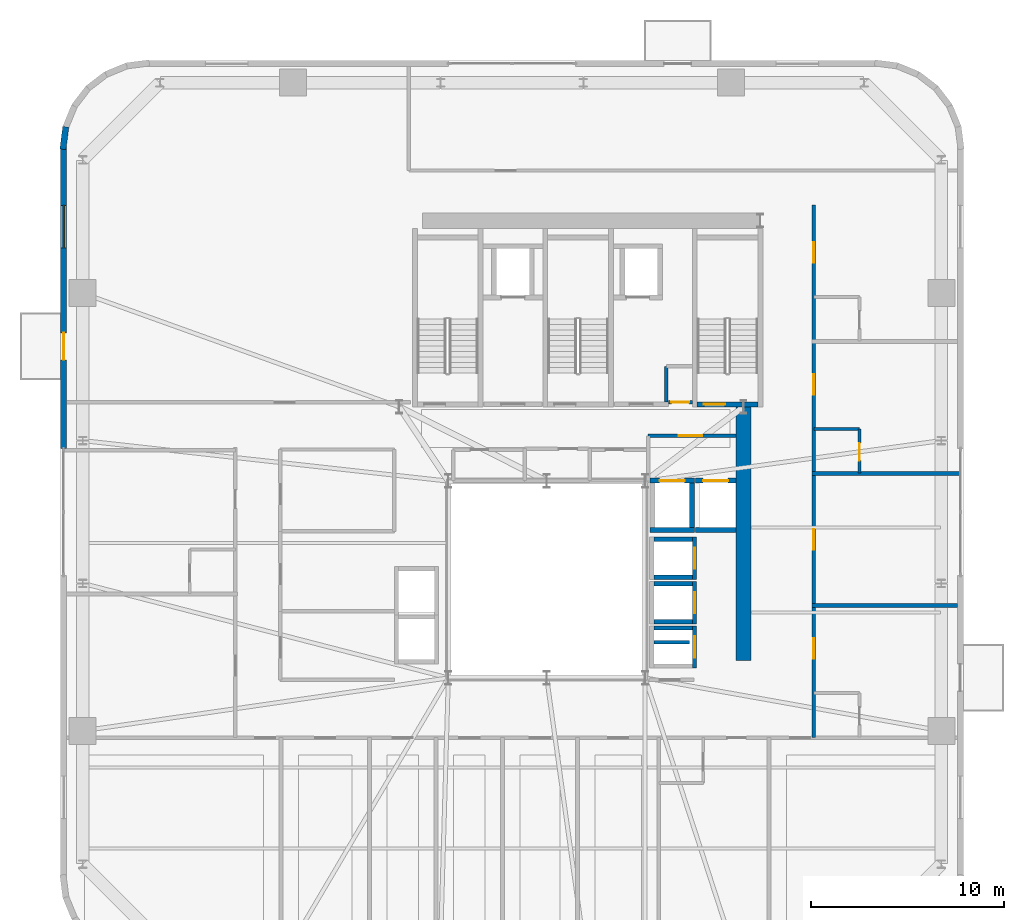
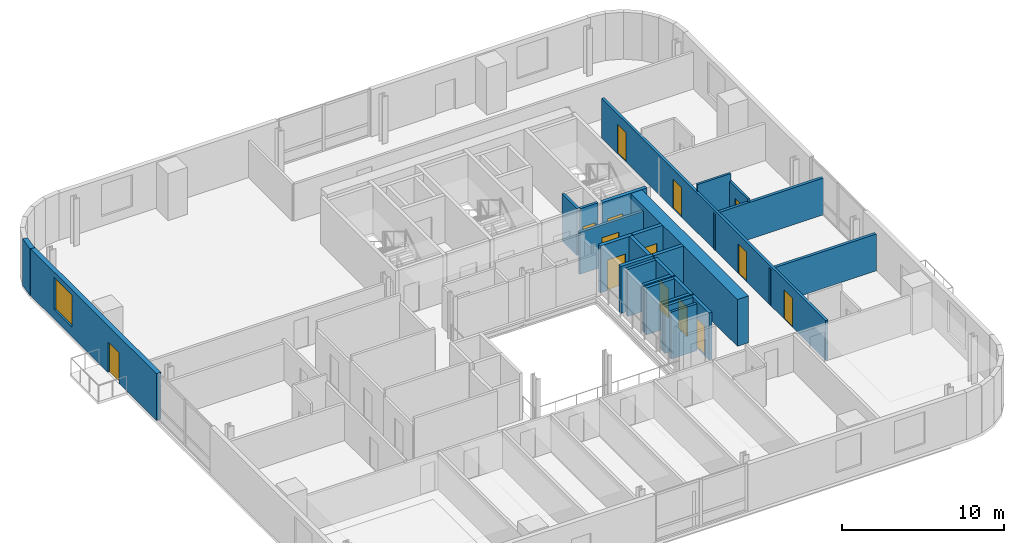
# One storey, part 10 of 16: 26 walls, 14 doors, 1 window, 15 openings.
"""IFC4 building model written with IfcOpenShell, lengths in metres."""

from ifc_helpers import new_model, si_unit, direction, frame, frame_2d, origin, place, context, subcontext, project, spatial, rectangle, extrude, source, transform, mapped, material, layer, layer_set, type_object, element, fill, save


model = new_model("IFC4")

# Units and contexts
model_context = context("Model", 3, precision=1e-05, world=origin(), true_north=direction((0.0, 1.0)))
body_context = subcontext(model_context, "Body", "Model", "MODEL_VIEW")
ifc_project = project(units=[si_unit("LENGTHUNIT", "METRE"), si_unit("AREAUNIT", "SQUARE_METRE"), si_unit("VOLUMEUNIT", "CUBIC_METRE"), si_unit("PLANEANGLEUNIT", "RADIAN"), si_unit("MASSUNIT", "GRAM", prefix="KILO")], contexts=[model_context])

# Site, building, storey
site_placement = place(None, origin())
site = spatial("IfcSite", under=ifc_project, at=site_placement, CompositionType="ELEMENT")
building_placement = place(site_placement, origin())
building = spatial("IfcBuilding", under=site, at=building_placement, Name="Vardaveli Station Tower", CompositionType="ELEMENT")
storey_placement = place(building_placement, frame((0.0, 0.0, 184.800048828125)))
storey = spatial("IfcBuildingStorey", under=building, at=storey_placement, Name="L47", CompositionType="ELEMENT", Elevation=184.800048828125)

# Wall
ifc_material_1 = material(Name="Concrete C50/60", Category="concrete")
ifc_layer_1 = layer(ifc_material_1, 0.800048828125, Name="Concrete C50/60")
ifc_layer_set_1 = layer_set([ifc_layer_1], Name="Concrete C50/60")
wall_type_1 = type_object("IfcWallType", Name="WAL-CORE-800", PredefinedType="SHEAR", material=ifc_layer_set_1)
shared_shape_1 = source(origin(), body_context, "Body", "SweptSolid", [
    extrude(rectangle(XDim=13.14990234375, YDim=0.800048828125, at=frame_2d((6.574951171875, 0.0))), origin(), (0.0, 0.0, 1.0), 3.530029296875),
])
wall_1_placement = place(storey_placement, frame((46.5, 17.5, 0.0), z_axis=(0.0, 0.0, 1.0), x_axis=(0.0, 1.0, 0.0)))
element("IfcWall", 1, at=wall_1_placement, inside=storey, type_object=wall_type_1, Name="SW-L47-EAST2", PredefinedType="SHEAR", context=body_context, shape_type="MappedRepresentation", body=[
    mapped(shared_shape_1, transform((0.0, 0.0, 0.0), scale=1.0)),
])

# Wall, openings, door, window
ifc_material_2 = material(Name="Precast concrete C45/55", Category="concrete")
ifc_layer_2 = layer(ifc_material_2, 0.320068359375, Name="Precast concrete C45/55")
ifc_layer_set_2 = layer_set([ifc_layer_2], Name="Precast concrete C45/55")
wall_type_2 = type_object("IfcWallType", Name="WAL-EXT-STONE-320", PredefinedType="SOLIDWALL", material=ifc_layer_set_2)
shared_shape_2 = source(origin(), body_context, "Body", "SweptSolid", [
    extrude(rectangle(XDim=15.60009765625, YDim=0.320068359375, at=frame_2d((7.800048828125, 0.0))), origin(), (0.0, 0.0, 1.0), 3.530029296875),
])
wall_2_placement = place(storey_placement, frame((11.260009765625, 44.10009765625, 0.0), z_axis=(0.0, 0.0, 1.0), x_axis=(0.0, -1.0, 0.0)))
wall_2 = element("IfcWall", 2, at=wall_2_placement, inside=storey, type_object=wall_type_2, Name="EW-L47-W1", PredefinedType="SOLIDWALL", context=body_context, shape_type="MappedRepresentation", body=[
    mapped(shared_shape_2, transform((0.0, 0.0, 0.0), scale=1.0)),
])
shared_shape_3 = source(origin(), body_context, "Body", "SweptSolid", [
    extrude(rectangle(XDim=1.39990234375, YDim=2.300048828125, at=frame_2d((0.699951171875, 1.14990234375))), frame((0.0, 0.169921875, 0.0), z_axis=(0.0, -1.0, 0.0), x_axis=(1.0, 0.0, 0.0)), (0.0, 0.0, 1.0), 0.340087890625),
])
opening_1_placement = place(wall_2_placement, frame((9.6103515625, 0.0, 0.0)))
opening_1 = element("IfcOpeningElement", 3, at=opening_1_placement, cuts=wall_2, Name="Opening D-09", PredefinedType="OPENING", context=body_context, shape_type="MappedRepresentation", body=[
    mapped(shared_shape_3, transform((0.0, 0.0, 0.0), scale=1.0)),
])
shared_shape_4 = source(origin(), body_context, "Body", "SweptSolid", [
    extrude(rectangle(XDim=2.199951171875, YDim=2.39990234375, at=frame_2d((1.10009765625, 1.199951171875))), frame((0.0, 0.169921875, 0.0), z_axis=(0.0, -1.0, 0.0), x_axis=(1.0, 0.0, 0.0)), (0.0, 0.0, 1.0), 0.340087890625),
])
opening_2_placement = place(wall_2_placement, frame((3.0048828125, 0.0, 0.719970703125)))
opening_2 = element("IfcOpeningElement", 4, at=opening_2_placement, cuts=wall_2, Name="Opening W-03", PredefinedType="OPENING", context=body_context, shape_type="MappedRepresentation", body=[
    mapped(shared_shape_4, transform((0.0, 0.0, 0.0), scale=1.0)),
])
ifc_material_3 = material(Name="Thermally broken aluminium glass", Category="aluminium")
door_type_1 = type_object("IfcDoorType", Name="DR-LOG-1400x2300", OperationType="DOUBLE_DOOR_SLIDING", PredefinedType="DOOR", material=ifc_material_3)
shared_shape_5 = source(origin(), body_context, "Body", "SweptSolid", [
    extrude(rectangle(XDim=1.39990234375, YDim=2.300048828125, at=frame_2d((0.699951171875, 1.14990234375))), frame((0.0, 0.02490234375, 0.0), z_axis=(0.0, -1.0, 0.0), x_axis=(1.0, 0.0, 0.0)), (0.0, 0.0, 1.0), 0.050048828125),
])
door_1_placement = place(opening_1_placement, frame((1.39990234375, 0.0, 0.0), z_axis=(0.0, 0.0, 1.0), x_axis=(-1.0, 0.0, 0.0)))
door_1 = element("IfcDoor", 5, at=door_1_placement, inside=storey, type_object=door_type_1, Name="DLG-L47-W", OperationType="DOUBLE_DOOR_SLIDING", OverallHeight=2.300048828125, OverallWidth=1.39990234375, PredefinedType="DOOR", context=body_context, shape_type="MappedRepresentation", body=[
    mapped(shared_shape_5, transform((0.0, 0.0, 0.0), scale=1.0)),
])
fill(opening_1, door_1)
ifc_material_4 = material(Name="Low-E solar-control glass", Category="glass")
window_type = type_object("IfcWindowType", Name="WIN-LOG-2200x2400", PartitioningType="SINGLE_PANEL", PredefinedType="WINDOW", material=ifc_material_4)
shared_shape_6 = source(origin(), body_context, "Body", "SweptSolid", [
    extrude(rectangle(XDim=2.199951171875, YDim=2.39990234375, at=frame_2d((1.10009765625, 1.199951171875))), frame((0.0, 0.030029296875, 0.0), z_axis=(0.0, -1.0, 0.0), x_axis=(1.0, 0.0, 0.0)), (0.0, 0.0, 1.0), 0.06005859375),
])
window_placement = place(opening_2_placement, origin())
window = element("IfcWindow", 6, at=window_placement, inside=storey, type_object=window_type, Name="WN-L47-W1", OverallHeight=2.39990234375, OverallWidth=2.199951171875, PartitioningType="SINGLE_PANEL", PredefinedType="WINDOW", context=body_context, shape_type="MappedRepresentation", body=[
    mapped(shared_shape_6, transform((0.0, 0.0, 0.0), scale=1.0)),
])
fill(opening_2, window)

# Wall
shared_shape_7 = source(origin(), body_context, "Body", "SweptSolid", [
    extrude(rectangle(XDim=1.17041015625, YDim=0.320068359375, at=frame_2d((0.585205078125, 0.0))), origin(), (0.0, 0.0, 1.0), 3.530029296875),
])
wall_3_placement = place(storey_placement, frame((11.37451171875, 45.16015625, 0.0), z_axis=(0.0, 0.0, 1.0), x_axis=(-0.128295670475, -0.991735963317, 0.0)))
element("IfcWall", 7, at=wall_3_placement, inside=storey, type_object=wall_type_2, Name="EW-L47-CR4-6", PredefinedType="SOLIDWALL", context=body_context, shape_type="MappedRepresentation", body=[
    mapped(shared_shape_7, transform((0.0, 0.0, 0.0), scale=1.0)),
])

# Wall, opening, door
ifc_material_5 = material(Name="Concrete C40/50", Category="concrete")
ifc_layer_3 = layer(ifc_material_5, 0.25, Name="Concrete C40/50")
ifc_layer_set_3 = layer_set([ifc_layer_3], Name="Concrete C40/50")
wall_type_3 = type_object("IfcWallType", Name="WAL-SHAFT-250", PredefinedType="SOLIDWALL", material=ifc_layer_set_3)
shared_shape_8 = source(origin(), body_context, "Body", "SweptSolid", [
    extrude(rectangle(XDim=3.14990234375, YDim=0.25, at=frame_2d((1.574951171875, 0.0))), origin(), (0.0, 0.0, 1.0), 3.550048828125),
])
wall_4_placement = place(storey_placement, frame((44.10009765625, 30.77490234375, 0.0), z_axis=(0.0, 0.0, 1.0), x_axis=(1.0, 0.0, 0.0)))
wall_4 = element("IfcWall", 8, at=wall_4_placement, inside=storey, type_object=wall_type_3, Name="W-L47-ST-3S", PredefinedType="SOLIDWALL", context=body_context, shape_type="MappedRepresentation", body=[
    mapped(shared_shape_8, transform((0.0, 0.0, 0.0), scale=1.0)),
])
shared_shape_9 = source(origin(), body_context, "Body", "SweptSolid", [
    extrude(rectangle(XDim=1.10009765625, YDim=2.199951171875, at=frame_2d((0.550048828125, 1.10009765625))), frame((0.0, 0.135009765625, 0.0), z_axis=(0.0, -1.0, 0.0), x_axis=(1.0, 0.0, 0.0)), (0.0, 0.0, 1.0), 0.27001953125),
])
opening_3_placement = place(wall_4_placement, frame((0.35009765625, 0.0, 0.0)))
opening_3 = element("IfcOpeningElement", 9, at=opening_3_placement, cuts=wall_4, Name="Opening D-04", PredefinedType="OPENING", context=body_context, shape_type="MappedRepresentation", body=[
    mapped(shared_shape_9, transform((0.0, 0.0, 0.0), scale=1.0)),
])
ifc_material_6 = material(Name="Steel smokeproof fire doorset", Category="steel")
door_type_2 = type_object("IfcDoorType", Name="DR-ST-1100x2200", OperationType="NOTDEFINED", PredefinedType="DOOR", material=ifc_material_6)
shared_shape_10 = source(origin(), body_context, "Body", "SweptSolid", [
    extrude(rectangle(XDim=1.10009765625, YDim=2.199951171875, at=frame_2d((0.550048828125, 1.10009765625))), frame((0.0, 0.02490234375, 0.0), z_axis=(0.0, -1.0, 0.0), x_axis=(1.0, 0.0, 0.0)), (0.0, 0.0, 1.0), 0.050048828125),
])
door_2_placement = place(opening_3_placement, origin())
door_2 = element("IfcDoor", 10, at=door_2_placement, inside=storey, type_object=door_type_2, Name="DST-3-L47", OperationType="SINGLE_SWING_LEFT", OverallHeight=2.199951171875, OverallWidth=1.10009765625, PredefinedType="DOOR", context=body_context, shape_type="MappedRepresentation", body=[
    mapped(shared_shape_10, transform((0.0, 0.0, 0.0), scale=1.0)),
])
fill(opening_3, door_2)

# Walls
ifc_layer_4 = layer(ifc_material_5, 0.219970703125, Name="Concrete C40/50")
ifc_layer_set_4 = layer_set([ifc_layer_4], Name="Concrete C40/50")
wall_type_4 = type_object("IfcWallType", Name="WAL-FFLOBBY-220", PredefinedType="SOLIDWALL", material=ifc_layer_set_4)
shared_shape_11 = source(origin(), body_context, "Body", "SweptSolid", [
    extrude(rectangle(XDim=2.0, YDim=0.219970703125, at=frame_2d((1.0, 0.0))), origin(), (0.0, 0.0, 1.0), 3.530029296875),
])
for number, where, z_axis, x_axis, name in (
    (11, (41.85009765625, 21.81494140625, 0.0), (0.0, 0.0, 1.0), (1.0, 0.0, 0.0), "SHW-HL3-01-L47-S"),
    (12, (41.85009765625, 23.784912109375, 0.0), (0.0, 0.0, 1.0), (1.0, 0.0, 0.0), "SHW-HL3-01-L47-N"),
    (13, (41.85009765625, 19.514892578125, 0.0), (0.0, 0.0, 1.0), (1.0, 0.0, 0.0), "SHW-HL3-02-L47-S"),
    (14, (41.85009765625, 21.485107421875, 0.0), (0.0, 0.0, 1.0), (1.0, 0.0, 0.0), "SHW-HL3-02-L47-N"),
    (15, (41.85009765625, 19.18505859375, 0.0), (0.0, 0.0, 1.0), (1.0, 0.0, 0.0), "SHW-HL3-03-L47-N"),
):
    element("IfcWall", number, at=place(storey_placement, frame(where, z_axis=z_axis, x_axis=x_axis)), inside=storey, type_object=wall_type_4, Name=name, PredefinedType="SOLIDWALL", context=body_context, shape_type="MappedRepresentation", body=[
        mapped(shared_shape_11, transform((0.0, 0.0, 0.0), scale=1.0)),
    ])

# Wall, opening, door
shared_shape_12 = source(origin(), body_context, "Body", "SweptSolid", [
    extrude(rectangle(XDim=2.18994140625, YDim=0.219970703125, at=frame_2d((1.094970703125, 0.0))), origin(), (0.0, 0.0, 1.0), 3.530029296875),
])
wall_5_placement = place(storey_placement, frame((43.9599609375, 21.705078125, 0.0), z_axis=(0.0, 0.0, 1.0), x_axis=(0.0, 1.0, 0.0)))
wall_5 = element("IfcWall", 16, at=wall_5_placement, inside=storey, type_object=wall_type_4, Name="SHW-HL3-01-L47-E", PredefinedType="SOLIDWALL", context=body_context, shape_type="MappedRepresentation", body=[
    mapped(shared_shape_12, transform((0.0, 0.0, 0.0), scale=1.0)),
])
shared_shape_13 = source(origin(), body_context, "Body", "SweptSolid", [
    extrude(rectangle(XDim=1.10009765625, YDim=2.199951171875, at=frame_2d((0.550048828125, 1.10009765625))), frame((0.0, 0.1201171875, 0.0), z_axis=(0.0, -1.0, 0.0), x_axis=(1.0, 0.0, 0.0)), (0.0, 0.0, 1.0), 0.239990234375),
])
opening_4_placement = place(wall_5_placement, frame((0.544921875, 0.0, 0.0)))
opening_4 = element("IfcOpeningElement", 17, at=opening_4_placement, cuts=wall_5, Name="Opening LD-01", PredefinedType="OPENING", context=body_context, shape_type="MappedRepresentation", body=[
    mapped(shared_shape_13, transform((0.0, 0.0, 0.0), scale=1.0)),
])
ifc_material_7 = material(Name="Brushed stainless steel", Category="steel")
door_type_3 = type_object("IfcDoorType", Name="DR-LD-1100x2200", OperationType="DOUBLE_DOOR_SLIDING", PredefinedType="DOOR", material=ifc_material_7)
door_3_placement = place(opening_4_placement, origin())
door_3 = element("IfcDoor", 18, at=door_3_placement, inside=storey, type_object=door_type_3, Name="LD-HL3-01-L47", OperationType="DOUBLE_DOOR_SLIDING", OverallHeight=2.199951171875, OverallWidth=1.10009765625, PredefinedType="DOOR", context=body_context, shape_type="MappedRepresentation", body=[
    mapped(shared_shape_10, transform((0.0, 0.0, 0.0), scale=1.0)),
])
fill(opening_4, door_3)

wall_6_placement = place(storey_placement, frame((43.9599609375, 19.405029296875, 0.0), z_axis=(0.0, 0.0, 1.0), x_axis=(0.0, 1.0, 0.0)))
wall_6 = element("IfcWall", 19, at=wall_6_placement, inside=storey, type_object=wall_type_4, Name="SHW-HL3-02-L47-E", PredefinedType="SOLIDWALL", context=body_context, shape_type="MappedRepresentation", body=[
    mapped(shared_shape_12, transform((0.0, 0.0, 0.0), scale=1.0)),
])
opening_5_placement = place(wall_6_placement, frame((0.544921875, 0.0, 0.0)))
opening_5 = element("IfcOpeningElement", 20, at=opening_5_placement, cuts=wall_6, Name="Opening LD-01", PredefinedType="OPENING", context=body_context, shape_type="MappedRepresentation", body=[
    mapped(shared_shape_13, transform((0.0, 0.0, 0.0), scale=1.0)),
])
door_4_placement = place(opening_5_placement, origin())
door_4 = element("IfcDoor", 21, at=door_4_placement, inside=storey, type_object=door_type_3, Name="LD-HL3-02-L47", OperationType="DOUBLE_DOOR_SLIDING", OverallHeight=2.199951171875, OverallWidth=1.10009765625, PredefinedType="DOOR", context=body_context, shape_type="MappedRepresentation", body=[
    mapped(shared_shape_10, transform((0.0, 0.0, 0.0), scale=1.0)),
])
fill(opening_5, door_4)

wall_7_placement = place(storey_placement, frame((43.9599609375, 17.10498046875, 0.0), z_axis=(0.0, 0.0, 1.0), x_axis=(0.0, 1.0, 0.0)))
wall_7 = element("IfcWall", 22, at=wall_7_placement, inside=storey, type_object=wall_type_4, Name="SHW-HL3-03-L47-E", PredefinedType="SOLIDWALL", context=body_context, shape_type="MappedRepresentation", body=[
    mapped(shared_shape_12, transform((0.0, 0.0, 0.0), scale=1.0)),
])
opening_6_placement = place(wall_7_placement, frame((0.544921875, 0.0, 0.0)))
opening_6 = element("IfcOpeningElement", 23, at=opening_6_placement, cuts=wall_7, Name="Opening LD-01", PredefinedType="OPENING", context=body_context, shape_type="MappedRepresentation", body=[
    mapped(shared_shape_13, transform((0.0, 0.0, 0.0), scale=1.0)),
])
door_5_placement = place(opening_6_placement, origin())
door_5 = element("IfcDoor", 24, at=door_5_placement, inside=storey, type_object=door_type_3, Name="LD-HL3-03-L47", OperationType="DOUBLE_DOOR_SLIDING", OverallHeight=2.199951171875, OverallWidth=1.10009765625, PredefinedType="DOOR", context=body_context, shape_type="MappedRepresentation", body=[
    mapped(shared_shape_10, transform((0.0, 0.0, 0.0), scale=1.0)),
])
fill(opening_6, door_5)

# Wall
shared_shape_14 = source(origin(), body_context, "Body", "SweptSolid", [
    extrude(rectangle(XDim=2.300048828125, YDim=0.25, at=frame_2d((1.14990234375, 0.0))), origin(), (0.0, 0.0, 1.0), 3.530029296875),
])
wall_8_placement = place(storey_placement, frame((41.64990234375, 24.27490234375, 0.0), z_axis=(0.0, 0.0, 1.0), x_axis=(1.0, 0.0, 0.0)))
element("IfcWall", 25, at=wall_8_placement, inside=storey, type_object=wall_type_3, Name="SHW-SRV-01-L47-S", PredefinedType="SOLIDWALL", context=body_context, shape_type="MappedRepresentation", body=[
    mapped(shared_shape_14, transform((0.0, 0.0, 0.0), scale=1.0)),
])

# Wall, opening, door
wall_9_placement = place(storey_placement, frame((41.64990234375, 26.824951171875, 0.0), z_axis=(0.0, 0.0, 1.0), x_axis=(1.0, 0.0, 0.0)))
wall_9 = element("IfcWall", 26, at=wall_9_placement, inside=storey, type_object=wall_type_3, Name="SHW-SRV-01-L47-N", PredefinedType="SOLIDWALL", context=body_context, shape_type="MappedRepresentation", body=[
    mapped(shared_shape_14, transform((0.0, 0.0, 0.0), scale=1.0)),
])
shared_shape_15 = source(origin(), body_context, "Body", "SweptSolid", [
    extrude(rectangle(XDim=1.300048828125, YDim=2.300048828125, at=frame_2d((0.64990234375, 1.14990234375))), frame((0.0, 0.135009765625, 0.0), z_axis=(0.0, -1.0, 0.0), x_axis=(1.0, 0.0, 0.0)), (0.0, 0.0, 1.0), 0.27001953125),
])
opening_7_placement = place(wall_9_placement, frame((0.5, 0.0, 0.0)))
opening_7 = element("IfcOpeningElement", 27, at=opening_7_placement, cuts=wall_9, Name="Opening LD-03", PredefinedType="OPENING", context=body_context, shape_type="MappedRepresentation", body=[
    mapped(shared_shape_15, transform((0.0, 0.0, 0.0), scale=1.0)),
])
door_type_4 = type_object("IfcDoorType", Name="DR-LD-1300x2300", OperationType="DOUBLE_DOOR_SLIDING", PredefinedType="DOOR", material=ifc_material_7)
shared_shape_16 = source(origin(), body_context, "Body", "SweptSolid", [
    extrude(rectangle(XDim=1.300048828125, YDim=2.300048828125, at=frame_2d((0.64990234375, 1.14990234375))), frame((0.0, 0.02490234375, 0.0), z_axis=(0.0, -1.0, 0.0), x_axis=(1.0, 0.0, 0.0)), (0.0, 0.0, 1.0), 0.050048828125),
])
door_6_placement = place(opening_7_placement, origin())
door_6 = element("IfcDoor", 28, at=door_6_placement, inside=storey, type_object=door_type_4, Name="LD-SRV-01-L47", OperationType="DOUBLE_DOOR_SLIDING", OverallHeight=2.300048828125, OverallWidth=1.300048828125, PredefinedType="DOOR", context=body_context, shape_type="MappedRepresentation", body=[
    mapped(shared_shape_16, transform((0.0, 0.0, 0.0), scale=1.0)),
])
fill(opening_7, door_6)

# Walls
wall_10_placement = place(storey_placement, frame((43.824951171875, 24.39990234375, 0.0), z_axis=(0.0, 0.0, 1.0), x_axis=(0.0, 1.0, 0.0)))
element("IfcWall", 29, at=wall_10_placement, inside=storey, type_object=wall_type_3, Name="SHW-SRV-01-L47-E", PredefinedType="SOLIDWALL", context=body_context, shape_type="MappedRepresentation", body=[
    mapped(shared_shape_14, transform((0.0, 0.0, 0.0), scale=1.0)),
])
shared_shape_17 = source(origin(), body_context, "Body", "SweptSolid", [
    extrude(rectangle(XDim=2.10009765625, YDim=0.25, at=frame_2d((1.050048828125, 0.0))), origin(), (0.0, 0.0, 1.0), 3.530029296875),
])
wall_11_placement = place(storey_placement, frame((44.0, 24.27490234375, 0.0), z_axis=(0.0, 0.0, 1.0), x_axis=(1.0, 0.0, 0.0)))
element("IfcWall", 30, at=wall_11_placement, inside=storey, type_object=wall_type_3, Name="SHW-SRV-02-L47-S", PredefinedType="SOLIDWALL", context=body_context, shape_type="MappedRepresentation", body=[
    mapped(shared_shape_17, transform((0.0, 0.0, 0.0), scale=1.0)),
])

# Wall, opening, door
wall_12_placement = place(storey_placement, frame((44.0, 26.824951171875, 0.0), z_axis=(0.0, 0.0, 1.0), x_axis=(1.0, 0.0, 0.0)))
wall_12 = element("IfcWall", 31, at=wall_12_placement, inside=storey, type_object=wall_type_3, Name="SHW-SRV-02-L47-N", PredefinedType="SOLIDWALL", context=body_context, shape_type="MappedRepresentation", body=[
    mapped(shared_shape_17, transform((0.0, 0.0, 0.0), scale=1.0)),
])
opening_8_placement = place(wall_12_placement, frame((0.39990234375, 0.0, 0.0)))
opening_8 = element("IfcOpeningElement", 32, at=opening_8_placement, cuts=wall_12, Name="Opening LD-03", PredefinedType="OPENING", context=body_context, shape_type="MappedRepresentation", body=[
    mapped(shared_shape_15, transform((0.0, 0.0, 0.0), scale=1.0)),
])
door_7_placement = place(opening_8_placement, origin())
door_7 = element("IfcDoor", 33, at=door_7_placement, inside=storey, type_object=door_type_4, Name="LD-SRV-02-L47", OperationType="DOUBLE_DOOR_SLIDING", OverallHeight=2.300048828125, OverallWidth=1.300048828125, PredefinedType="DOOR", context=body_context, shape_type="MappedRepresentation", body=[
    mapped(shared_shape_16, transform((0.0, 0.0, 0.0), scale=1.0)),
])
fill(opening_8, door_7)

# Wall, openings, doors
ifc_material_8 = material(Name="Fire-rated gypsum stud partition")
ifc_layer_5 = layer(ifc_material_8, 0.179931640625, Name="Fire-rated gypsum stud partition")
ifc_layer_set_5 = layer_set([ifc_layer_5], Name="Fire-rated gypsum stud partition")
wall_type_5 = type_object("IfcWallType", Name="WAL-CORR-180", PredefinedType="PARTITIONING", material=ifc_layer_set_5)
shared_shape_18 = source(origin(), body_context, "Body", "SweptSolid", [
    extrude(rectangle(XDim=27.590087890625, YDim=0.179931640625, at=frame_2d((13.794921875, 0.0))), origin(), (0.0, 0.0, 1.0), 2.971923828125),
])
wall_13_placement = place(storey_placement, frame((50.14990234375, 13.510009765625, 0.0), z_axis=(0.0, 0.0, 1.0), x_axis=(0.0, 1.0, 0.0)))
wall_13 = element("IfcWall", 34, at=wall_13_placement, inside=storey, type_object=wall_type_5, Name="W-L47-CE", PredefinedType="PARTITIONING", context=body_context, shape_type="MappedRepresentation", body=[
    mapped(shared_shape_18, transform((0.0, 0.0, 0.0), scale=1.0)),
])
shared_shape_19 = source(origin(), body_context, "Body", "SweptSolid", [
    extrude(rectangle(XDim=1.050048828125, YDim=2.199951171875, at=frame_2d((0.52490234375, 1.10009765625))), frame((0.0, 0.10009765625, 0.0), z_axis=(0.0, -1.0, 0.0), x_axis=(1.0, 0.0, 0.0)), (0.0, 0.0, 1.0), 0.199951171875),
])
opening_9_placement = place(wall_13_placement, frame((4.086181640625, 0.0, 0.0)))
opening_9 = element("IfcOpeningElement", 35, at=opening_9_placement, cuts=wall_13, Name="Opening D-05", PredefinedType="OPENING", context=body_context, shape_type="MappedRepresentation", body=[
    mapped(shared_shape_19, transform((0.0, 0.0, 0.0), scale=1.0)),
])
opening_10_placement = place(wall_13_placement, frame((9.743896484375, 0.0, 0.0)))
opening_10 = element("IfcOpeningElement", 36, at=opening_10_placement, cuts=wall_13, Name="Opening D-05", PredefinedType="OPENING", context=body_context, shape_type="MappedRepresentation", body=[
    mapped(shared_shape_19, transform((0.0, 0.0, 0.0), scale=1.0)),
])
opening_11_placement = place(wall_13_placement, frame((17.771240234375, 0.0, 0.0)))
opening_11 = element("IfcOpeningElement", 37, at=opening_11_placement, cuts=wall_13, Name="Opening D-05", PredefinedType="OPENING", context=body_context, shape_type="MappedRepresentation", body=[
    mapped(shared_shape_19, transform((0.0, 0.0, 0.0), scale=1.0)),
])
opening_12_placement = place(wall_13_placement, frame((24.61376953125, 0.0, 0.0)))
opening_12 = element("IfcOpeningElement", 38, at=opening_12_placement, cuts=wall_13, Name="Opening D-05", PredefinedType="OPENING", context=body_context, shape_type="MappedRepresentation", body=[
    mapped(shared_shape_19, transform((0.0, 0.0, 0.0), scale=1.0)),
])
ifc_material_9 = material(Name="Walnut veneer acoustic fire door")
door_type_5 = type_object("IfcDoorType", Name="DR-SUITE-1050x2200", OperationType="NOTDEFINED", PredefinedType="DOOR", material=ifc_material_9)
shared_shape_20 = source(origin(), body_context, "Body", "SweptSolid", [
    extrude(rectangle(XDim=1.050048828125, YDim=2.199951171875, at=frame_2d((0.52490234375, 1.10009765625))), frame((0.0, 0.02490234375, 0.0), z_axis=(0.0, -1.0, 0.0), x_axis=(1.0, 0.0, 0.0)), (0.0, 0.0, 1.0), 0.050048828125),
])
door_8_placement = place(opening_9_placement, origin())
door_8 = element("IfcDoor", 39, at=door_8_placement, inside=storey, type_object=door_type_5, Name="D-L47-GE1", OperationType="SINGLE_SWING_LEFT", OverallHeight=2.199951171875, OverallWidth=1.050048828125, PredefinedType="DOOR", context=body_context, shape_type="MappedRepresentation", body=[
    mapped(shared_shape_20, transform((0.0, 0.0, 0.0), scale=1.0)),
])
fill(opening_9, door_8)
door_9_placement = place(opening_10_placement, origin())
door_9 = element("IfcDoor", 40, at=door_9_placement, inside=storey, type_object=door_type_5, Name="D-L47-GE2", OperationType="SINGLE_SWING_RIGHT", OverallHeight=2.199951171875, OverallWidth=1.050048828125, PredefinedType="DOOR", context=body_context, shape_type="MappedRepresentation", body=[
    mapped(shared_shape_20, transform((0.0, 0.0, 0.0), scale=1.0)),
])
fill(opening_10, door_9)
door_10_placement = place(opening_11_placement, origin())
door_10 = element("IfcDoor", 41, at=door_10_placement, inside=storey, type_object=door_type_5, Name="D-L47-GE3", OperationType="SINGLE_SWING_LEFT", OverallHeight=2.199951171875, OverallWidth=1.050048828125, PredefinedType="DOOR", context=body_context, shape_type="MappedRepresentation", body=[
    mapped(shared_shape_20, transform((0.0, 0.0, 0.0), scale=1.0)),
])
fill(opening_11, door_10)
door_11_placement = place(opening_12_placement, origin())
door_11 = element("IfcDoor", 42, at=door_11_placement, inside=storey, type_object=door_type_5, Name="D-L47-GE4", OperationType="SINGLE_SWING_RIGHT", OverallHeight=2.199951171875, OverallWidth=1.050048828125, PredefinedType="DOOR", context=body_context, shape_type="MappedRepresentation", body=[
    mapped(shared_shape_20, transform((0.0, 0.0, 0.0), scale=1.0)),
])
fill(opening_12, door_11)

# Wall, opening, door
shared_shape_21 = source(origin(), body_context, "Body", "SweptSolid", [
    extrude(rectangle(XDim=4.5478515625, YDim=0.179931640625, at=frame_2d((2.27392578125, 0.0))), origin(), (0.0, 0.0, 1.0), 3.161865234375),
])
wall_14_placement = place(storey_placement, frame((41.550048828125, 29.14990234375, 0.0), z_axis=(0.0, 0.0, 1.0), x_axis=(1.0, 0.0, 0.0)))
wall_14 = element("IfcWall", 43, at=wall_14_placement, inside=storey, type_object=wall_type_5, Name="W-L47-SVFN", PredefinedType="PARTITIONING", context=body_context, shape_type="MappedRepresentation", body=[
    mapped(shared_shape_21, transform((0.0, 0.0, 0.0), scale=1.0)),
])
shared_shape_22 = source(origin(), body_context, "Body", "SweptSolid", [
    extrude(rectangle(XDim=1.199951171875, YDim=2.199951171875, at=frame_2d((0.60009765625, 1.10009765625))), frame((0.0, 0.10009765625, 0.0), z_axis=(0.0, -1.0, 0.0), x_axis=(1.0, 0.0, 0.0)), (0.0, 0.0, 1.0), 0.199951171875),
])
opening_13_placement = place(wall_14_placement, frame((1.60009765625, 0.0, 0.0)))
opening_13 = element("IfcOpeningElement", 44, at=opening_13_placement, cuts=wall_14, Name="Opening D-03", PredefinedType="OPENING", context=body_context, shape_type="MappedRepresentation", body=[
    mapped(shared_shape_22, transform((0.0, 0.0, 0.0), scale=1.0)),
])
door_type_6 = type_object("IfcDoorType", Name="DR-FFL-1200x2200", OperationType="NOTDEFINED", PredefinedType="DOOR", material=ifc_material_6)
shared_shape_23 = source(origin(), body_context, "Body", "SweptSolid", [
    extrude(rectangle(XDim=1.199951171875, YDim=2.199951171875, at=frame_2d((0.60009765625, 1.10009765625))), frame((0.0, 0.02490234375, 0.0), z_axis=(0.0, -1.0, 0.0), x_axis=(1.0, 0.0, 0.0)), (0.0, 0.0, 1.0), 0.050048828125),
])
door_12_placement = place(opening_13_placement, origin())
door_12 = element("IfcDoor", 45, at=door_12_placement, inside=storey, type_object=door_type_6, Name="D-L47-SVF", OperationType="SINGLE_SWING_RIGHT", OverallHeight=2.199951171875, OverallWidth=1.199951171875, PredefinedType="DOOR", context=body_context, shape_type="MappedRepresentation", body=[
    mapped(shared_shape_23, transform((0.0, 0.0, 0.0), scale=1.0)),
])
fill(opening_13, door_12)

ifc_material_10 = material(Name="Moisture-resistant stud partition")
ifc_layer_6 = layer(ifc_material_10, 0.14990234375, Name="Moisture-resistant stud partition")
ifc_layer_set_6 = layer_set([ifc_layer_6], Name="Moisture-resistant stud partition")
wall_type_6 = type_object("IfcWallType", Name="WAL-WET-150", PredefinedType="PARTITIONING", material=ifc_layer_set_6)
shared_shape_24 = source(origin(), body_context, "Body", "SweptSolid", [
    extrude(rectangle(XDim=2.289794921875, YDim=0.14990234375, at=frame_2d((1.14501953125, 0.0))), origin(), (0.0, 0.0, 1.0), 2.971923828125),
])
wall_15_placement = place(storey_placement, frame((52.510009765625, 27.215087890625, 0.0), z_axis=(0.0, 0.0, 1.0), x_axis=(0.0, 1.0, 0.0)))
wall_15 = element("IfcWall", 46, at=wall_15_placement, inside=storey, type_object=wall_type_6, Name="W-L47-BE3-E", PredefinedType="PARTITIONING", context=body_context, shape_type="MappedRepresentation", body=[
    mapped(shared_shape_24, transform((0.0, 0.0, 0.0), scale=1.0)),
])
shared_shape_25 = source(origin(), body_context, "Body", "SweptSolid", [
    extrude(rectangle(XDim=0.89990234375, YDim=2.10009765625, at=frame_2d((0.449951171875, 1.050048828125))), frame((0.0, 0.0849609375, 0.0), z_axis=(0.0, -1.0, 0.0), x_axis=(1.0, 0.0, 0.0)), (0.0, 0.0, 1.0), 0.169921875),
])
opening_14_placement = place(wall_15_placement, frame((0.64990234375, 0.0, 0.0)))
opening_14 = element("IfcOpeningElement", 47, at=opening_14_placement, cuts=wall_15, Name="Opening D-08", PredefinedType="OPENING", context=body_context, shape_type="MappedRepresentation", body=[
    mapped(shared_shape_25, transform((0.0, 0.0, 0.0), scale=1.0)),
])
ifc_material_11 = material(Name="Moisture-resistant oak door")
door_type_7 = type_object("IfcDoorType", Name="DR-BATH-900x2100", OperationType="NOTDEFINED", PredefinedType="DOOR", material=ifc_material_11)
shared_shape_26 = source(origin(), body_context, "Body", "SweptSolid", [
    extrude(rectangle(XDim=0.89990234375, YDim=2.10009765625, at=frame_2d((0.449951171875, 1.050048828125))), frame((0.0, 0.02490234375, 0.0), z_axis=(0.0, -1.0, 0.0), x_axis=(1.0, 0.0, 0.0)), (0.0, 0.0, 1.0), 0.050048828125),
])
door_13_placement = place(opening_14_placement, origin())
door_13 = element("IfcDoor", 48, at=door_13_placement, inside=storey, type_object=door_type_7, Name="D-L47-BE3", OperationType="SINGLE_SWING_RIGHT", OverallHeight=2.10009765625, OverallWidth=0.89990234375, PredefinedType="DOOR", context=body_context, shape_type="MappedRepresentation", body=[
    mapped(shared_shape_26, transform((0.0, 0.0, 0.0), scale=1.0)),
])
fill(opening_14, door_13)

shared_shape_27 = source(origin(), body_context, "Body", "SweptSolid", [
    extrude(rectangle(XDim=1.247802734375, YDim=0.179931640625, at=frame_2d((0.6240234375, 0.0))), origin(), (0.0, 0.0, 1.0), 3.530029296875),
])
wall_16_placement = place(storey_placement, frame((42.60009765625, 30.8798828125, 0.0), z_axis=(0.0, 0.0, 1.0), x_axis=(1.0, 0.0, 0.0)))
wall_16 = element("IfcWall", 49, at=wall_16_placement, inside=storey, type_object=wall_type_5, Name="W-L47-CBS2A-S", PredefinedType="PARTITIONING", context=body_context, shape_type="MappedRepresentation", body=[
    mapped(shared_shape_27, transform((0.0, 0.0, 0.0), scale=1.0)),
])
shared_shape_28 = source(origin(), body_context, "Body", "SweptSolid", [
    extrude(rectangle(XDim=0.919921875, YDim=2.10009765625, at=frame_2d((0.4599609375, 1.050048828125))), frame((0.0, 0.10009765625, 0.0), z_axis=(0.0, -1.0, 0.0), x_axis=(1.0, 0.0, 0.0)), (0.0, 0.0, 1.0), 0.199951171875),
])
opening_15_placement = place(wall_16_placement, frame((0.1640625, 0.0, 0.0)))
opening_15 = element("IfcOpeningElement", 50, at=opening_15_placement, cuts=wall_16, Name="Opening D-07", PredefinedType="OPENING", context=body_context, shape_type="MappedRepresentation", body=[
    mapped(shared_shape_28, transform((0.0, 0.0, 0.0), scale=1.0)),
])
ifc_material_12 = material(Name="Moisture-resistant hardwood door", Category="wood")
door_type_8 = type_object("IfcDoorType", Name="DR-WC-920x2100", OperationType="NOTDEFINED", PredefinedType="DOOR", material=ifc_material_12)
shared_shape_29 = source(origin(), body_context, "Body", "SweptSolid", [
    extrude(rectangle(XDim=0.919921875, YDim=2.10009765625, at=frame_2d((0.4599609375, 1.050048828125))), frame((0.0, 0.02490234375, 0.0), z_axis=(0.0, -1.0, 0.0), x_axis=(1.0, 0.0, 0.0)), (0.0, 0.0, 1.0), 0.050048828125),
])
door_14_placement = place(opening_15_placement, origin())
door_14 = element("IfcDoor", 51, at=door_14_placement, inside=storey, type_object=door_type_8, Name="D-L47-CBS1", OperationType="SINGLE_SWING_LEFT", OverallHeight=2.10009765625, OverallWidth=0.919921875, PredefinedType="DOOR", context=body_context, shape_type="MappedRepresentation", body=[
    mapped(shared_shape_29, transform((0.0, 0.0, 0.0), scale=1.0)),
])
fill(opening_15, door_14)

# Walls
ifc_material_13 = material(Name="Acoustic twin-stud gypsum partition")
ifc_layer_7 = layer(ifc_material_13, 0.199951171875, Name="Acoustic twin-stud gypsum partition")
ifc_layer_set_7 = layer_set([ifc_layer_7], Name="Acoustic twin-stud gypsum partition")
wall_type_7 = type_object("IfcWallType", Name="WAL-PARTY-200", PredefinedType="PARTITIONING", material=ifc_layer_set_7)
shared_shape_30 = source(origin(), body_context, "Body", "SweptSolid", [
    extrude(rectangle(XDim=7.52783203125, YDim=0.199951171875, at=frame_2d((3.763916015625, 0.0))), origin(), (0.0, 0.0, 1.0), 2.77197265625),
])
wall_17_placement = place(storey_placement, frame((50.050048828125, 20.35205078125, 0.0), z_axis=(0.0, 0.0, 1.0), x_axis=(1.0, 0.0, 0.0)))
element("IfcWall", 52, at=wall_17_placement, inside=storey, type_object=wall_type_7, Name="W-L47-PE1", PredefinedType="PARTITIONING", context=body_context, shape_type="MappedRepresentation", body=[
    mapped(shared_shape_30, transform((0.0, 0.0, 0.0), scale=1.0)),
])
shared_shape_31 = source(origin(), body_context, "Body", "SweptSolid", [
    extrude(rectangle(XDim=7.719970703125, YDim=0.199951171875, at=frame_2d((3.85986328125, 0.0))), origin(), (0.0, 0.0, 1.0), 2.77197265625),
])
wall_18_placement = place(storey_placement, frame((50.050048828125, 27.195068359375, 0.0), z_axis=(0.0, 0.0, 1.0), x_axis=(1.0, 0.0, 0.0)))
element("IfcWall", 53, at=wall_18_placement, inside=storey, type_object=wall_type_7, Name="W-L47-PE2", PredefinedType="PARTITIONING", context=body_context, shape_type="MappedRepresentation", body=[
    mapped(shared_shape_31, transform((0.0, 0.0, 0.0), scale=1.0)),
])
shared_shape_32 = source(origin(), body_context, "Body", "SweptSolid", [
    extrude(rectangle(XDim=2.360107421875, YDim=0.14990234375, at=frame_2d((1.18017578125, 0.0))), origin(), (0.0, 0.0, 1.0), 3.530029296875),
])
wall_19_placement = place(storey_placement, frame((50.14990234375, 29.5048828125, 0.0), z_axis=(0.0, 0.0, 1.0), x_axis=(1.0, 0.0, 0.0)))
element("IfcWall", 54, at=wall_19_placement, inside=storey, type_object=wall_type_6, Name="W-L47-BE3-N", PredefinedType="PARTITIONING", context=body_context, shape_type="MappedRepresentation", body=[
    mapped(shared_shape_32, transform((0.0, 0.0, 0.0), scale=1.0)),
])
shared_shape_33 = source(origin(), body_context, "Body", "SweptSolid", [
    extrude(rectangle(XDim=1.85791015625, YDim=0.179931640625, at=frame_2d((0.928955078125, 0.0))), origin(), (0.0, 0.0, 1.0), 3.530029296875),
])
for number, where, z_axis, x_axis, name in (
    (55, (41.85205078125, 18.449951171875, 0.0), (0.0, 0.0, 1.0), (1.0, 0.0, 0.0), "W-L47-ATE-N"),
    (56, (42.5, 30.89208984375, 0.0), (0.0, 0.0, 1.0), (0.0, 1.0, 0.0), "W-L47-CBS2A-W"),
):
    element("IfcWall", number, at=place(storey_placement, frame(where, z_axis=z_axis, x_axis=x_axis)), inside=storey, type_object=wall_type_5, Name=name, PredefinedType="PARTITIONING", context=body_context, shape_type="MappedRepresentation", body=[
        mapped(shared_shape_33, transform((0.0, 0.0, 0.0), scale=1.0)),
    ])

save(model, "model.ifc")
